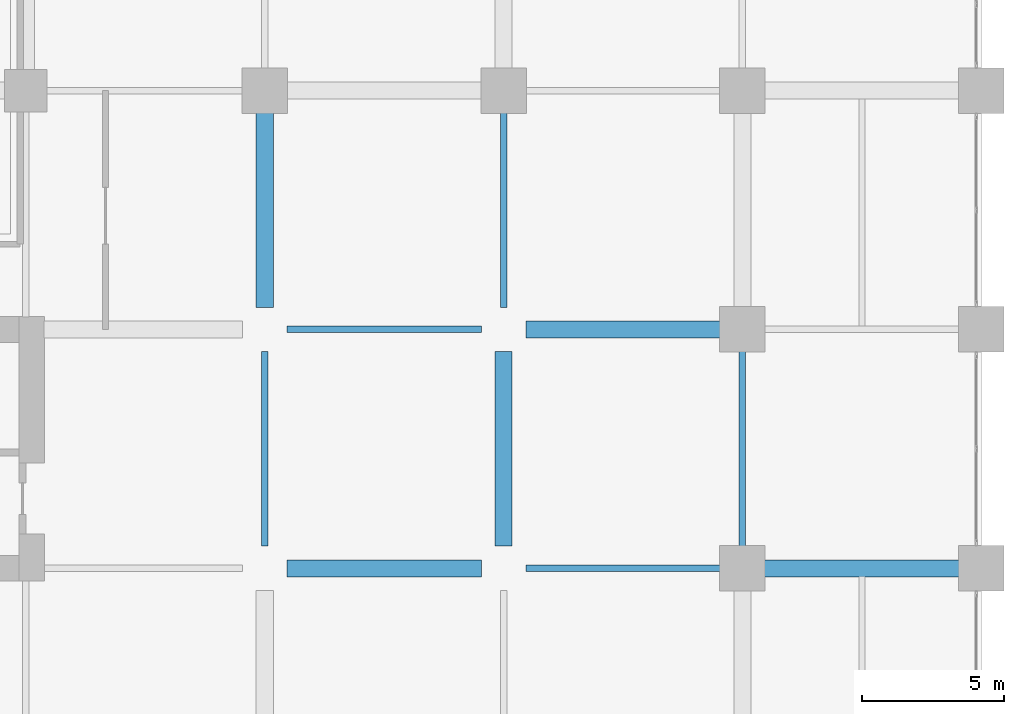
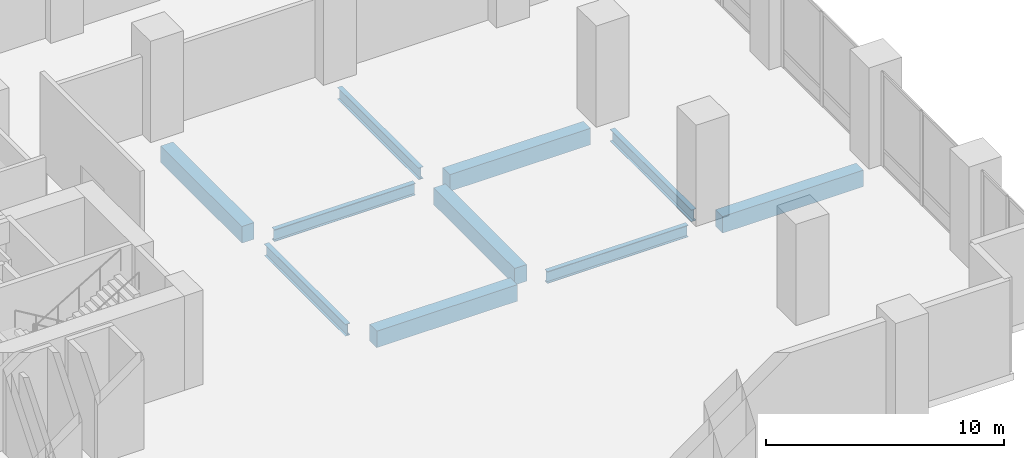
# One storey, part 4 of 19: 10 beams.
"""IFC4 building model written with IfcOpenShell, lengths in metres."""

from ifc_helpers import new_model, si_unit, direction, frame, origin, origin_2d, place, context, subcontext, project, spatial, rectangle, i_section, extrude, material, material_profile, profile_set, type_object, element, save


model = new_model("IFC4")

# Units and contexts
model_context = context("Model", 3, precision=1e-05, world=origin(), true_north=direction((0.0, 1.0)))
body_context = subcontext(model_context, "Body", "Model", "MODEL_VIEW")
ifc_project = project(units=[si_unit("LENGTHUNIT", "METRE"), si_unit("AREAUNIT", "SQUARE_METRE"), si_unit("VOLUMEUNIT", "CUBIC_METRE"), si_unit("PLANEANGLEUNIT", "RADIAN"), si_unit("MASSUNIT", "GRAM", prefix="KILO")], contexts=[model_context])

# Site, building, storey
site_placement = place(None, origin())
site = spatial("IfcSite", under=ifc_project, at=site_placement, CompositionType="ELEMENT")
building_placement = place(site_placement, origin())
building = spatial("IfcBuilding", under=site, at=building_placement, Name="Koriwani Terraces Tower", CompositionType="ELEMENT")
storey_placement = place(building_placement, frame((0.0, 0.0, 15.60009765625)))
storey = spatial("IfcBuildingStorey", under=building, at=storey_placement, Name="L03", CompositionType="ELEMENT", Elevation=15.60009765625)

# Beams
ifc_material_1 = material(Name="Concrete C60/75", Category="concrete")
ifc_material_profile_1 = material_profile(ifc_material_1, rectangle(XDim=0.60009765625, YDim=0.85009765625, at=origin_2d()), Name="Concrete C60/75", Category="LoadBearing")
ifc_profile_set_1 = profile_set([ifc_material_profile_1], Name="Concrete C60/75")
beam_type_1 = type_object("IfcBeamType", Name="BEAM_RC_GRID_600X850", PredefinedType="BEAM", material=ifc_profile_set_1)
for number, where, z_axis, x_axis, name in (
    (1, (67.97998046875, 16.800048828125, -0.775146484375), (1.0, 0.0, 0.0), (0.0, 1.0, 0.0), "L03 Grid Beam C (67.2-75.6m)"),
    (2, (84.780029296875, 16.800048828125, -0.775146484375), (1.0, 0.0, 0.0), (0.0, 1.0, 0.0), "L03 Grid Beam C (84.0-92.4m)"),
    (3, (76.3798828125, 25.199951171875, -0.775146484375), (1.0, 0.0, 0.0), (0.0, 1.0, 0.0), "L03 Grid Beam D (75.6-84.0m)"),
    (4, (67.199951171875, 25.97998046875, -0.775146484375), (0.0, 1.0, 0.0), (-1.0, 0.0, 0.0), "L03 Grid Beam 9 (25.2-33.6m)"),
):
    element("IfcBeam", number, at=place(storey_placement, frame(where, z_axis=z_axis, x_axis=x_axis)), inside=storey, type_object=beam_type_1, Name=name, PredefinedType="BEAM", context=body_context, shape_type="SweptSolid", body=[
        extrude(rectangle(XDim=0.60009765625, YDim=0.85009765625, at=origin_2d()), origin(), (0.0, 0.0, 1.0), 6.840087890625),
    ])
beam_1_placement = place(storey_placement, frame((75.60009765625, 17.580078125, -0.775146484375), z_axis=(0.0, 1.0, 0.0), x_axis=(-1.0, 0.0, 0.0)))
element("IfcBeam", 5, at=beam_1_placement, inside=storey, type_object=beam_type_1, Name="L03 Grid Beam 10 (16.8-25.2m)", PredefinedType="BEAM", context=body_context, shape_type="SweptSolid", body=[
    extrude(rectangle(XDim=0.60009765625, YDim=0.85009765625, at=origin_2d()), origin(), (0.0, 0.0, 1.0), 6.83984375),
])
ifc_material_2 = material(Name="Steel ASTM A572 Grade 50", Category="steel")
ifc_material_profile_2 = material_profile(ifc_material_2, i_section(OverallWidth=0.22900390625, OverallDepth=0.611083984375, WebThickness=0.0126953125, FlangeThickness=0.022216796875, at=origin_2d()), Name="Steel ASTM A572 Grade 50", Category="LoadBearing")
ifc_profile_set_2 = profile_set([ifc_material_profile_2], Name="Steel ASTM A572 Grade 50")
beam_type_2 = type_object("IfcBeamType", Name="STEEL_BEAM_W610X155", PredefinedType="BEAM", material=ifc_profile_set_2)
for number, where, z_axis, x_axis, name in (
    (6, (76.3798828125, 16.800048828125, -0.655517578125), (1.0, 0.0, 0.0), (0.0, 1.0, 0.0), "L03 Grid Beam C (75.6-84.0m)"),
    (7, (67.97998046875, 25.199951171875, -0.655517578125), (1.0, 0.0, 0.0), (0.0, 1.0, 0.0), "L03 Grid Beam D (67.2-75.6m)"),
):
    element("IfcBeam", number, at=place(storey_placement, frame(where, z_axis=z_axis, x_axis=x_axis)), inside=storey, type_object=beam_type_2, Name=name, PredefinedType="BEAM", context=body_context, shape_type="SweptSolid", body=[
        extrude(i_section(OverallWidth=0.22900390625, OverallDepth=0.611083984375, WebThickness=0.0126953125, FlangeThickness=0.022216796875, at=origin_2d()), origin(), (0.0, 0.0, 1.0), 6.840087890625),
    ])
beam_2_placement = place(storey_placement, frame((67.199951171875, 17.580078125, -0.655517578125), z_axis=(0.0, 1.0, 0.0), x_axis=(-1.0, 0.0, 0.0)))
element("IfcBeam", 8, at=beam_2_placement, inside=storey, type_object=beam_type_2, Name="L03 Grid Beam 9 (16.8-25.2m)", PredefinedType="BEAM", context=body_context, shape_type="SweptSolid", body=[
    extrude(i_section(OverallWidth=0.22900390625, OverallDepth=0.611083984375, WebThickness=0.0126953125, FlangeThickness=0.022216796875, at=origin_2d()), origin(), (0.0, 0.0, 1.0), 6.83984375),
])
beam_3_placement = place(storey_placement, frame((75.60009765625, 25.97998046875, -0.655517578125), z_axis=(0.0, 1.0, 0.0), x_axis=(-1.0, 0.0, 0.0)))
element("IfcBeam", 9, at=beam_3_placement, inside=storey, type_object=beam_type_2, Name="L03 Grid Beam 10 (25.2-33.6m)", PredefinedType="BEAM", context=body_context, shape_type="SweptSolid", body=[
    extrude(i_section(OverallWidth=0.22900390625, OverallDepth=0.611083984375, WebThickness=0.0126953125, FlangeThickness=0.022216796875, at=origin_2d()), origin(), (0.0, 0.0, 1.0), 6.840087890625),
])
beam_4_placement = place(storey_placement, frame((84.0, 17.580078125, -0.655517578125), z_axis=(0.0, 1.0, 0.0), x_axis=(-1.0, 0.0, 0.0)))
element("IfcBeam", 10, at=beam_4_placement, inside=storey, type_object=beam_type_2, Name="L03 Grid Beam 11 (16.8-25.2m)", PredefinedType="BEAM", context=body_context, shape_type="SweptSolid", body=[
    extrude(i_section(OverallWidth=0.22900390625, OverallDepth=0.611083984375, WebThickness=0.0126953125, FlangeThickness=0.022216796875, at=origin_2d()), origin(), (0.0, 0.0, 1.0), 6.83984375),
])

save(model, "model.ifc")
